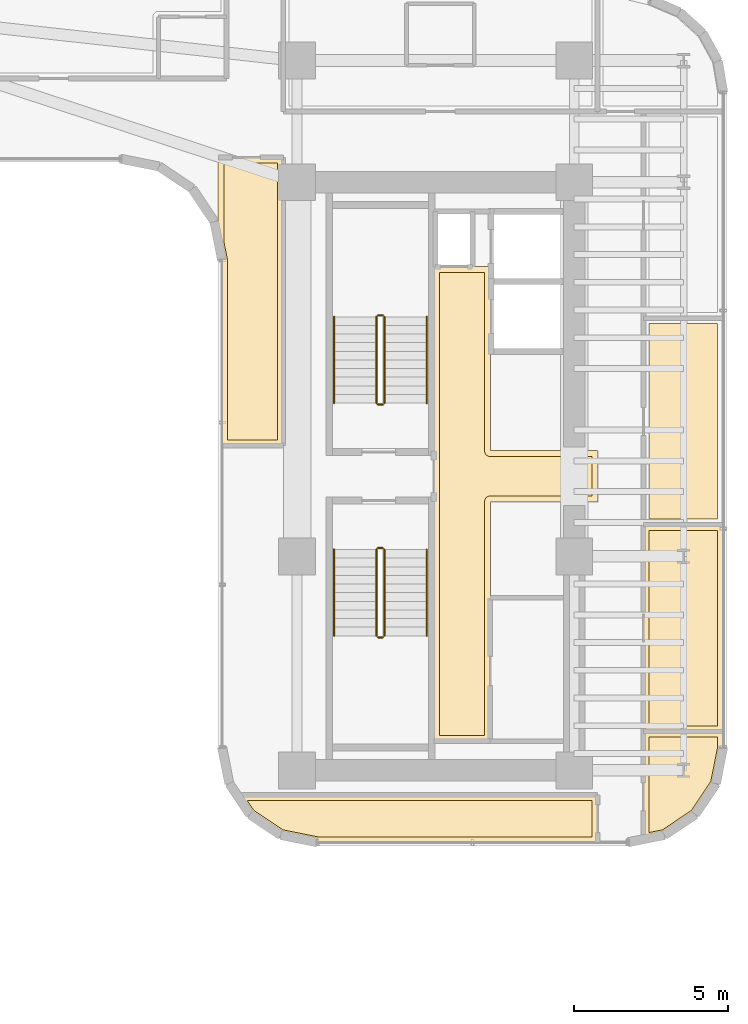
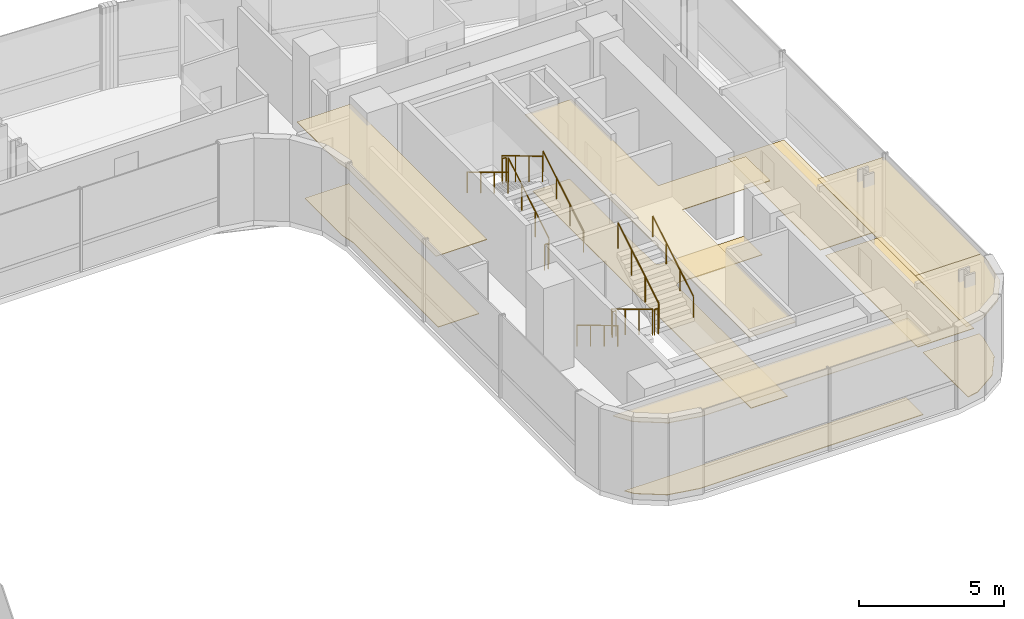
# One storey, part 33 of 35: 12 railings, 11 coverings.
"""IFC4 building model written with IfcOpenShell, lengths in metres."""

from ifc_helpers import new_model, si_unit, direction, frame, origin, origin_2d, place, context, subcontext, project, spatial, polyline, circle, outline, extrude, material, layer, layer_set, type_object, element, save


model = new_model("IFC4")

# Units and contexts
model_context = context("Model", 3, precision=1e-05, world=origin(), true_north=direction((0.0, 1.0)))
body_context = subcontext(model_context, "Body", "Model", "MODEL_VIEW")
ifc_project = project(units=[si_unit("LENGTHUNIT", "METRE"), si_unit("AREAUNIT", "SQUARE_METRE"), si_unit("VOLUMEUNIT", "CUBIC_METRE"), si_unit("PLANEANGLEUNIT", "RADIAN"), si_unit("MASSUNIT", "GRAM", prefix="KILO")], contexts=[model_context])

# Site, building, storey
site_placement = place(None, origin())
site = spatial("IfcSite", under=ifc_project, at=site_placement, CompositionType="ELEMENT")
building_placement = place(site_placement, origin())
building = spatial("IfcBuilding", under=site, at=building_placement, Name="Valdorenza Pilgrim Sanctuary Tower", CompositionType="ELEMENT")
storey_placement = place(building_placement, frame((0.0, 0.0, 113.10009765625)))
storey = spatial("IfcBuildingStorey", under=building, at=storey_placement, Name="L28", CompositionType="ELEMENT", Elevation=113.10009765625)

# Coverings
ifc_material_1 = material(Name="Micro-perforated acoustic mineral ceiling tile", Category="gypsum")
ifc_layer_1 = layer(ifc_material_1, 0.02490234375, Name="Micro-perforated acoustic mineral ceiling tile")
ifc_layer_set_1 = layer_set([ifc_layer_1], Name="Micro-perforated acoustic mineral ceiling tile")
covering_type_1 = type_object("IfcCoveringType", Name="COV-CLG-ACU", PredefinedType="CEILING", material=ifc_layer_set_1)
covering_1_placement = place(storey_placement, frame((0.0, 0.0, 3.159912109375)))
element("IfcCovering", 1, at=covering_1_placement, inside=storey, type_object=covering_type_1, Name="L28 Core B Passenger Lift Lobby Acoustic Ceiling", PredefinedType="CEILING", context=body_context, shape_type="SweptSolid", body=[
    extrude(outline(polyline([(20.287109375, -0.814697265625), (20.287109375, 0.814697265625), (20.28662109375, 0.815185546875), (20.2861328125, 0.81640625), (20.28564453125, 0.81787109375), (20.285400390625, 0.819091796875), (20.28515625, 0.820556640625), (20.284912109375, 0.822021484375), (20.284912109375, 6.800048828125), (20.28515625, 6.801513671875), (20.285400390625, 6.802978515625), (20.28564453125, 6.804443359375), (20.2861328125, 6.8056640625), (20.286865234375, 6.80712890625), (20.28759765625, 6.808349609375), (20.288330078125, 6.8095703125), (20.289306640625, 6.810546875), (20.29052734375, 6.8115234375), (20.291748046875, 6.8125), (20.29296875, 6.813232421875), (20.294189453125, 6.81396484375), (20.295654296875, 6.814453125), (20.297119140625, 6.814697265625), (20.298583984375, 6.81494140625), (20.300048828125, 6.81494140625), (20.347900390625, 6.81494140625), (20.349365234375, 6.81494140625), (20.350830078125, 6.814697265625), (20.352294921875, 6.814453125), (20.353515625, 6.81396484375), (20.35498046875, 6.813232421875), (20.35546875, 6.81298828125), (21.544677734375, 6.81298828125), (21.545166015625, 6.813232421875), (21.54638671875, 6.81396484375), (21.5478515625, 6.814453125), (21.54931640625, 6.814697265625), (21.550537109375, 6.81494140625), (21.552001953125, 6.81494140625), (22.1201171875, 6.81494140625), (22.12158203125, 6.81494140625), (22.122802734375, 6.814697265625), (22.12451171875, 6.814453125), (22.125732421875, 6.81396484375), (22.127197265625, 6.813232421875), (22.12841796875, 6.8125), (22.12939453125, 6.8115234375), (22.130615234375, 6.810546875), (22.131591796875, 6.8095703125), (22.132568359375, 6.808349609375), (22.13330078125, 6.80712890625), (22.1337890625, 6.8056640625), (22.134521484375, 6.804443359375), (22.134765625, 6.802978515625), (22.135009765625, 6.801513671875), (22.135009765625, 6.800048828125), (22.135009765625, 0.8349609375), (25.60009765625, 0.8349609375), (25.6015625, 0.8349609375), (25.602783203125, 0.834716796875), (25.6044921875, 0.83447265625), (25.605712890625, 0.833984375), (25.607177734375, 0.833251953125), (25.6083984375, 0.83251953125), (25.609619140625, 0.83154296875), (25.610595703125, 0.83056640625), (25.611572265625, 0.82958984375), (25.612548828125, 0.828369140625), (25.61328125, 0.8271484375), (25.614013671875, 0.82568359375), (25.614501953125, 0.824462890625), (25.61474609375, 0.822998046875), (25.614990234375, 0.821533203125), (25.614990234375, 0.820068359375), (25.614990234375, -0.820068359375), (25.614990234375, -0.821533203125), (25.61474609375, -0.822998046875), (25.614501953125, -0.824462890625), (25.614013671875, -0.82568359375), (25.61328125, -0.8271484375), (25.612548828125, -0.828369140625), (25.611572265625, -0.82958984375), (25.610595703125, -0.83056640625), (25.609619140625, -0.83154296875), (25.6083984375, -0.83251953125), (25.607177734375, -0.833251953125), (25.605712890625, -0.833984375), (25.6044921875, -0.83447265625), (25.602783203125, -0.834716796875), (25.6015625, -0.8349609375), (25.60009765625, -0.8349609375), (22.135009765625, -0.8349609375), (22.135009765625, -8.60009765625), (22.135009765625, -8.6015625), (22.134765625, -8.602783203125), (22.134521484375, -8.6044921875), (22.1337890625, -8.605712890625), (22.13330078125, -8.607177734375), (22.132568359375, -8.6083984375), (22.131591796875, -8.609619140625), (22.130615234375, -8.610595703125), (22.12939453125, -8.611572265625), (22.12841796875, -8.612548828125), (22.127197265625, -8.61328125), (22.125732421875, -8.614013671875), (22.12451171875, -8.614501953125), (22.122802734375, -8.61474609375), (22.12158203125, -8.614990234375), (22.1201171875, -8.614990234375), (20.300048828125, -8.614990234375), (20.298583984375, -8.614990234375), (20.297119140625, -8.61474609375), (20.295654296875, -8.614501953125), (20.294189453125, -8.614013671875), (20.29296875, -8.61328125), (20.291748046875, -8.612548828125), (20.29052734375, -8.611572265625), (20.289306640625, -8.610595703125), (20.288330078125, -8.609619140625), (20.28759765625, -8.6083984375), (20.286865234375, -8.607177734375), (20.2861328125, -8.605712890625), (20.28564453125, -8.6044921875), (20.285400390625, -8.602783203125), (20.28515625, -8.6015625), (20.284912109375, -8.60009765625), (20.284912109375, -0.822021484375), (20.28515625, -0.820556640625), (20.285400390625, -0.819091796875), (20.28564453125, -0.81787109375), (20.2861328125, -0.81640625), (20.28662109375, -0.815185546875), (20.287109375, -0.814697265625)])), origin(), (0.0, 0.0, 1.0), 0.02490234375),
])
covering_2_placement = place(storey_placement, frame((0.0, 0.0, 3.159912109375)))
element("IfcCovering", 2, at=covering_2_placement, inside=storey, type_object=covering_type_1, Name="L28 Sacred Manuscript Archive L28-BS Acoustic Ceiling", PredefinedType="CEILING", context=body_context, shape_type="SweptSolid", body=[
    extrude(outline(polyline([(25.614990234375, -11.889892578125), (25.614990234375, -11.8916015625), (25.61474609375, -11.892822265625), (25.614501953125, -11.894287109375), (25.614013671875, -11.895751953125), (25.61328125, -11.897216796875), (25.612548828125, -11.898193359375), (25.611572265625, -11.8994140625), (25.610595703125, -11.900634765625), (25.609619140625, -11.901611328125), (25.6083984375, -11.902587890625), (25.607177734375, -11.9033203125), (25.605712890625, -11.90380859375), (25.6044921875, -11.904296875), (25.602783203125, -11.90478515625), (25.6015625, -11.90478515625), (25.60009765625, -11.905029296875), (16.5107421875, -11.905029296875), (16.509521484375, -11.90478515625), (16.5078125, -11.90478515625), (15.3154296875, -11.66748046875), (15.31396484375, -11.6669921875), (15.3125, -11.66650390625), (15.311279296875, -11.666015625), (15.31005859375, -11.665283203125), (14.308349609375, -10.995849609375), (14.30712890625, -10.9951171875), (14.305908203125, -10.993896484375), (14.304931640625, -10.992919921875), (14.30419921875, -10.99169921875), (13.880859375, -10.3583984375), (13.880126953125, -10.357177734375), (13.87939453125, -10.355712890625), (13.87890625, -10.3544921875), (13.878662109375, -10.352783203125), (13.87841796875, -10.3515625), (13.87841796875, -10.35009765625), (13.87841796875, -10.348388671875), (13.878662109375, -10.34716796875), (13.87890625, -10.345703125), (13.87939453125, -10.34423828125), (13.880126953125, -10.343017578125), (13.880859375, -10.341796875), (13.881591796875, -10.340576171875), (13.8828125, -10.33935546875), (13.8837890625, -10.33837890625), (13.885009765625, -10.33740234375), (13.88623046875, -10.3369140625), (13.8876953125, -10.336181640625), (13.888916015625, -10.335693359375), (13.890380859375, -10.335205078125), (13.891845703125, -10.335205078125), (13.893310546875, -10.3349609375), (25.60009765625, -10.3349609375), (25.6015625, -10.335205078125), (25.602783203125, -10.335205078125), (25.6044921875, -10.335693359375), (25.605712890625, -10.336181640625), (25.607177734375, -10.3369140625), (25.6083984375, -10.33740234375), (25.609619140625, -10.33837890625), (25.610595703125, -10.33935546875), (25.611572265625, -10.340576171875), (25.612548828125, -10.341796875), (25.61328125, -10.343017578125), (25.614013671875, -10.34423828125), (25.614501953125, -10.345703125), (25.61474609375, -10.34716796875), (25.614990234375, -10.348388671875), (25.614990234375, -10.35009765625), (25.614990234375, -11.889892578125)])), origin(), (0.0, 0.0, 1.0), 0.02490234375),
])
covering_3_placement = place(storey_placement, frame((0.0, 0.0, 3.159912109375)))
element("IfcCovering", 3, at=covering_3_placement, inside=storey, type_object=covering_type_1, Name="L28 East Sanctuary Scholar Office L28-EG1 Acoustic Ceiling", PredefinedType="CEILING", context=body_context, shape_type="SweptSolid", body=[
    extrude(outline(polyline([(29.467529296875, -9.984619140625), (29.467041015625, -9.986083984375), (29.466552734375, -9.9873046875), (29.466064453125, -9.98876953125), (29.46533203125, -9.989990234375), (28.7958984375, -10.99169921875), (28.794921875, -10.992919921875), (28.7939453125, -10.993896484375), (28.79296875, -10.9951171875), (28.791748046875, -10.995849609375), (27.7900390625, -11.665283203125), (27.788818359375, -11.666015625), (27.787353515625, -11.66650390625), (27.785888671875, -11.6669921875), (27.78466796875, -11.66748046875), (27.102783203125, -11.802978515625), (27.1015625, -11.80322265625), (27.10009765625, -11.803466796875), (27.098388671875, -11.80322265625), (27.09716796875, -11.802978515625), (27.095703125, -11.802734375), (27.09423828125, -11.80224609375), (27.093017578125, -11.801513671875), (27.091796875, -11.80078125), (27.090576171875, -11.800048828125), (27.08935546875, -11.799072265625), (27.08837890625, -11.7978515625), (27.08740234375, -11.796630859375), (27.0869140625, -11.79541015625), (27.086181640625, -11.794189453125), (27.085693359375, -11.792724609375), (27.085205078125, -11.791259765625), (27.085205078125, -11.789794921875), (27.0849609375, -11.788330078125), (27.0849609375, -8.287109375), (27.085205078125, -8.285400390625), (27.085205078125, -8.2841796875), (27.085693359375, -8.28271484375), (27.086181640625, -8.28125), (27.0869140625, -8.27978515625), (27.08740234375, -8.27880859375), (27.08837890625, -8.277587890625), (27.08935546875, -8.2763671875), (27.090576171875, -8.275390625), (27.091796875, -8.2744140625), (27.093017578125, -8.273681640625), (27.09423828125, -8.273193359375), (27.095703125, -8.272705078125), (27.09716796875, -8.272216796875), (27.098388671875, -8.272216796875), (27.10009765625, -8.27197265625), (29.68994140625, -8.27197265625), (29.69140625, -8.272216796875), (29.69287109375, -8.272216796875), (29.6943359375, -8.272705078125), (29.69580078125, -8.273193359375), (29.697021484375, -8.273681640625), (29.6982421875, -8.2744140625), (29.699462890625, -8.275390625), (29.70068359375, -8.2763671875), (29.70166015625, -8.277587890625), (29.702392578125, -8.27880859375), (29.703125, -8.27978515625), (29.703857421875, -8.28125), (29.704345703125, -8.28271484375), (29.70458984375, -8.2841796875), (29.704833984375, -8.285400390625), (29.705078125, -8.287109375), (29.705078125, -8.789306640625), (29.704833984375, -8.79052734375), (29.70458984375, -8.7919921875), (29.467529296875, -9.984619140625)])), origin(), (0.0, 0.0, 1.0), 0.02490234375),
])
covering_4_placement = place(storey_placement, frame((0.0, 0.0, 3.159912109375)))
element("IfcCovering", 4, at=covering_4_placement, inside=storey, type_object=covering_type_1, Name="L28 East Sanctuary Scholar Office L28-EG2 Acoustic Ceiling", PredefinedType="CEILING", context=body_context, shape_type="SweptSolid", body=[
    extrude(outline(polyline([(27.0849609375, -1.574951171875), (27.085205078125, -1.573486328125), (27.085205078125, -1.572021484375), (27.085693359375, -1.570556640625), (27.086181640625, -1.5693359375), (27.0869140625, -1.56787109375), (27.08740234375, -1.566650390625), (27.08837890625, -1.5654296875), (27.08935546875, -1.564453125), (27.090576171875, -1.5634765625), (27.091796875, -1.5625), (27.093017578125, -1.561767578125), (27.09423828125, -1.56103515625), (27.095703125, -1.560546875), (27.09716796875, -1.560302734375), (27.098388671875, -1.56005859375), (27.10009765625, -1.56005859375), (29.68994140625, -1.56005859375), (29.69140625, -1.56005859375), (29.69287109375, -1.560302734375), (29.6943359375, -1.560546875), (29.69580078125, -1.56103515625), (29.697021484375, -1.561767578125), (29.6982421875, -1.5625), (29.699462890625, -1.5634765625), (29.70068359375, -1.564453125), (29.70166015625, -1.5654296875), (29.702392578125, -1.566650390625), (29.703125, -1.56787109375), (29.703857421875, -1.5693359375), (29.704345703125, -1.570556640625), (29.70458984375, -1.572021484375), (29.704833984375, -1.573486328125), (29.705078125, -1.574951171875), (29.705078125, -8.284912109375), (29.704833984375, -8.28662109375), (29.70458984375, -8.287841796875), (29.704345703125, -8.289306640625), (29.703857421875, -8.290771484375), (29.703125, -8.2919921875), (29.702392578125, -8.293212890625), (29.70166015625, -8.29443359375), (29.70068359375, -8.295654296875), (29.699462890625, -8.296630859375), (29.6982421875, -8.297607421875), (29.697021484375, -8.298095703125), (29.69580078125, -8.298828125), (29.6943359375, -8.29931640625), (29.69287109375, -8.2998046875), (29.69140625, -8.2998046875), (29.68994140625, -8.300048828125), (27.10009765625, -8.300048828125), (27.098388671875, -8.2998046875), (27.09716796875, -8.2998046875), (27.095703125, -8.29931640625), (27.09423828125, -8.298828125), (27.093017578125, -8.298095703125), (27.091796875, -8.297607421875), (27.090576171875, -8.296630859375), (27.08935546875, -8.295654296875), (27.08837890625, -8.29443359375), (27.08740234375, -8.293212890625), (27.0869140625, -8.2919921875), (27.086181640625, -8.290771484375), (27.085693359375, -8.289306640625), (27.085205078125, -8.287841796875), (27.085205078125, -8.28662109375), (27.0849609375, -8.284912109375), (27.0849609375, -1.574951171875)])), origin(), (0.0, 0.0, 1.0), 0.02490234375),
])
covering_5_placement = place(storey_placement, frame((0.0, 0.0, 3.159912109375)))
element("IfcCovering", 5, at=covering_5_placement, inside=storey, type_object=covering_type_1, Name="L28 Courtyard Overlook Salon L28 Acoustic Ceiling", PredefinedType="CEILING", context=body_context, shape_type="SweptSolid", body=[
    extrude(outline(polyline([(15.39990234375, 10.364990234375), (15.401611328125, 10.364990234375), (15.40283203125, 10.36474609375), (15.404296875, 10.364501953125), (15.40576171875, 10.364013671875), (15.406982421875, 10.36328125), (15.408203125, 10.362548828125), (15.409423828125, 10.361572265625), (15.41064453125, 10.360595703125), (15.41162109375, 10.359619140625), (15.41259765625, 10.3583984375), (15.4130859375, 10.357177734375), (15.413818359375, 10.355712890625), (15.414306640625, 10.3544921875), (15.414794921875, 10.352783203125), (15.414794921875, 10.3515625), (15.4150390625, 10.35009765625), (15.4150390625, 1.0), (15.414794921875, 0.99853515625), (15.414794921875, 0.9970703125), (15.414306640625, 0.99560546875), (15.413818359375, 0.994384765625), (15.4130859375, 0.992919921875), (15.41259765625, 0.99169921875), (15.41162109375, 0.990478515625), (15.41064453125, 0.989501953125), (15.409423828125, 0.98828125), (15.408203125, 0.987548828125), (15.406982421875, 0.98681640625), (15.40576171875, 0.986083984375), (15.404296875, 0.985595703125), (15.40283203125, 0.9853515625), (15.401611328125, 0.985107421875), (15.39990234375, 0.985107421875), (13.409912109375, 0.985107421875), (13.408447265625, 0.985107421875), (13.406982421875, 0.9853515625), (13.405517578125, 0.985595703125), (13.404296875, 0.986083984375), (13.40283203125, 0.98681640625), (13.401611328125, 0.987548828125), (13.400390625, 0.98828125), (13.3994140625, 0.989501953125), (13.3984375, 0.990478515625), (13.3974609375, 0.99169921875), (13.396728515625, 0.992919921875), (13.39599609375, 0.994384765625), (13.3955078125, 0.99560546875), (13.395263671875, 0.9970703125), (13.39501953125, 0.99853515625), (13.39501953125, 1.0), (13.39501953125, 6.99951171875), (13.39453125, 7.00927734375), (13.39306640625, 7.018798828125), (13.285400390625, 7.560791015625), (13.28515625, 7.562255859375), (13.284912109375, 7.563720703125), (13.284912109375, 10.35009765625), (13.28515625, 10.3515625), (13.285400390625, 10.352783203125), (13.28564453125, 10.3544921875), (13.2861328125, 10.355712890625), (13.286865234375, 10.357177734375), (13.28759765625, 10.3583984375), (13.288330078125, 10.359619140625), (13.289306640625, 10.360595703125), (13.29052734375, 10.361572265625), (13.291748046875, 10.362548828125), (13.29296875, 10.36328125), (13.294189453125, 10.364013671875), (13.295654296875, 10.364501953125), (13.297119140625, 10.36474609375), (13.298583984375, 10.364990234375), (13.300048828125, 10.364990234375), (15.39990234375, 10.364990234375)])), origin(), (0.0, 0.0, 1.0), 0.02490234375),
])
ifc_material_2 = material(Name="Honed travertine stone flooring", Category="masonry")
ifc_layer_2 = layer(ifc_material_2, 0.030029296875, Name="Honed travertine stone flooring")
ifc_layer_set_2 = layer_set([ifc_layer_2], Name="Honed travertine stone flooring")
covering_type_2 = type_object("IfcCoveringType", Name="COV-FLR-TRV", PredefinedType="FLOORING", material=ifc_layer_set_2)
covering_6_placement = place(storey_placement, origin())
element("IfcCovering", 6, at=covering_6_placement, inside=storey, type_object=covering_type_2, Name="L28 Core B Passenger Lift Lobby Flooring", PredefinedType="FLOORING", context=body_context, shape_type="SweptSolid", body=[
    extrude(outline(polyline([(20.47998046875, 6.617919921875), (21.550048828125, 6.617919921875), (21.550537109375, 6.617919921875), (21.93994140625, 6.619384765625), (21.93994140625, 0.820068359375), (21.94091796875, 0.802490234375), (21.943603515625, 0.784912109375), (21.94775390625, 0.767578125), (21.95361328125, 0.751220703125), (21.961181640625, 0.735107421875), (21.97021484375, 0.719970703125), (21.98095703125, 0.705810546875), (21.99267578125, 0.692626953125), (22.005859375, 0.680908203125), (22.02001953125, 0.67041015625), (22.03515625, 0.661376953125), (22.051025390625, 0.65380859375), (22.067626953125, 0.647705078125), (22.0849609375, 0.6435546875), (22.102294921875, 0.640869140625), (22.1201171875, 0.639892578125), (25.419921875, 0.639892578125), (25.419921875, -0.639892578125), (22.1201171875, -0.639892578125), (22.102294921875, -0.640869140625), (22.0849609375, -0.6435546875), (22.067626953125, -0.647705078125), (22.051025390625, -0.65380859375), (22.03515625, -0.661376953125), (22.02001953125, -0.67041015625), (22.005859375, -0.680908203125), (21.99267578125, -0.692626953125), (21.98095703125, -0.705810546875), (21.97021484375, -0.719970703125), (21.961181640625, -0.735107421875), (21.95361328125, -0.751220703125), (21.94775390625, -0.767578125), (21.943603515625, -0.784912109375), (21.94091796875, -0.802490234375), (21.93994140625, -0.820068359375), (21.93994140625, -8.419921875), (20.47998046875, -8.419921875), (20.47998046875, -0.846923828125), (20.47998046875, -0.8466796875), (20.47998046875, -0.8466796875), (20.481689453125, -0.8291015625), (20.481689453125, -0.828857421875), (20.48193359375, -0.820068359375), (20.48193359375, 0.820068359375), (20.47998046875, 6.617919921875)])), origin(), (0.0, 0.0, 1.0), 0.02490234375),
])
covering_7_placement = place(storey_placement, origin())
element("IfcCovering", 7, at=covering_7_placement, inside=storey, type_object=covering_type_2, Name="L28 Sacred Manuscript Archive L28-BS Flooring", PredefinedType="FLOORING", context=body_context, shape_type="SweptSolid", body=[
    extrude(outline(polyline([(25.419921875, -11.7099609375), (16.528564453125, -11.7099609375), (15.388671875, -11.483154296875), (14.4462890625, -10.853515625), (14.22998046875, -10.530029296875), (25.419921875, -10.530029296875), (25.419921875, -11.7099609375)])), origin(), (0.0, 0.0, 1.0), 0.02490234375),
])
covering_8_placement = place(storey_placement, origin())
element("IfcCovering", 8, at=covering_8_placement, inside=storey, type_object=covering_type_2, Name="L28 East Sanctuary Scholar Office L28-EG1 Flooring", PredefinedType="FLOORING", context=body_context, shape_type="SweptSolid", body=[
    extrude(outline(polyline([(29.283203125, -9.911376953125), (28.653564453125, -10.853515625), (27.71142578125, -11.483154296875), (27.280029296875, -11.569091796875), (27.280029296875, -8.467041015625), (29.510009765625, -8.467041015625), (29.510009765625, -8.771484375), (29.283203125, -9.911376953125)])), origin(), (0.0, 0.0, 1.0), 0.02490234375),
])
covering_9_placement = place(storey_placement, origin())
element("IfcCovering", 9, at=covering_9_placement, inside=storey, type_object=covering_type_2, Name="L28 East Sanctuary Scholar Office L28-EG2 Flooring", PredefinedType="FLOORING", context=body_context, shape_type="SweptSolid", body=[
    extrude(outline(polyline([(27.280029296875, -1.7548828125), (29.510009765625, -1.7548828125), (29.510009765625, -8.10498046875), (27.280029296875, -8.10498046875), (27.280029296875, -1.7548828125)])), origin(), (0.0, 0.0, 1.0), 0.02490234375),
])
covering_10_placement = place(storey_placement, origin())
element("IfcCovering", 10, at=covering_10_placement, inside=storey, type_object=covering_type_2, Name="L28 East Sanctuary Scholar Office L28-EG3 Flooring", PredefinedType="FLOORING", context=body_context, shape_type="SweptSolid", body=[
    extrude(outline(polyline([(27.280029296875, 4.9580078125), (29.510009765625, 4.9580078125), (29.510009765625, -1.39306640625), (27.280029296875, -1.39306640625), (27.280029296875, 4.9580078125)])), origin(), (0.0, 0.0, 1.0), 0.02490234375),
])
covering_11_placement = place(storey_placement, origin())
element("IfcCovering", 11, at=covering_11_placement, inside=storey, type_object=covering_type_2, Name="L28 Courtyard Overlook Salon L28 Flooring", PredefinedType="FLOORING", context=body_context, shape_type="SweptSolid", body=[
    extrude(outline(polyline([(15.219970703125, 10.169921875), (15.219970703125, 1.179931640625), (13.590087890625, 1.179931640625), (13.590087890625, 7.0), (13.58984375, 7.0087890625), (13.58935546875, 7.01953125), (13.58740234375, 7.037109375), (13.5859375, 7.0478515625), (13.58447265625, 7.056640625), (13.47998046875, 7.58154296875), (13.47998046875, 10.169921875), (15.219970703125, 10.169921875)])), origin(), (0.0, 0.0, 1.0), 0.02490234375),
])

# Railings
ifc_material_3 = material(Name="Stainless steel Grade 316", Category="steel")
railing_type_1 = type_object("IfcRailingType", Name="RLG-GRD-1120", PredefinedType="GUARDRAIL", material=ifc_material_3)
railing_1_placement = place(storey_placement, frame((18.679931640625, 2.3798828125, 0.16796875)))
element("IfcRailing", 12, at=railing_1_placement, inside=storey, type_object=railing_type_1, Name="L28 ST-B1 stair guard 1", PredefinedType="GUARDRAIL", context=body_context, shape_type="SweptSolid", body=[
    extrude(circle(Radius=0.02392578125, at=origin_2d()), frame((0.0, 0.0, 1.076171875), z_axis=(0.0, 0.857242210791, 0.514913383045), x_axis=(-1.0, 0.0, 0.0)), (0.0, 0.0, 1.0), 3.266357421875),
    extrude(circle(Radius=0.02099609375, at=origin_2d()), origin(), (0.0, 0.0, 1.0), 1.052001953125),
    extrude(circle(Radius=0.02099609375, at=origin_2d()), frame((0.0, 0.933349609375, 0.560546875)), (0.0, 0.0, 1.0), 1.052001953125),
    extrude(circle(Radius=0.02099609375, at=origin_2d()), frame((0.0, 1.86669921875, 1.121337890625)), (0.0, 0.0, 1.0), 1.052001953125),
    extrude(circle(Radius=0.02099609375, at=origin_2d()), frame((0.0, 2.800048828125, 1.681884765625)), (0.0, 0.0, 1.0), 1.052001953125),
])
railing_2_placement = place(storey_placement, frame((18.6298828125, 5.22998046875, 1.849853515625)))
element("IfcRailing", 13, at=railing_2_placement, inside=storey, type_object=railing_type_1, Name="L28 ST-B1 stair guard 2", PredefinedType="GUARDRAIL", context=body_context, shape_type="SweptSolid", body=[
    extrude(circle(Radius=0.02392578125, at=origin_2d()), frame((0.0, 0.0, 1.076171875), z_axis=(-1.0, 0.0, 0.0), x_axis=(0.0, -1.0, 0.0)), (0.0, 0.0, 1.0), 0.14990234375),
    extrude(circle(Radius=0.02099609375, at=origin_2d()), origin(), (0.0, 0.0, 1.0), 1.052001953125),
    extrude(circle(Radius=0.02099609375, at=origin_2d()), frame((-0.14990234375, 0.0, 0.0)), (0.0, 0.0, 1.0), 1.052001953125),
])
railing_3_placement = place(storey_placement, frame((18.429931640625, 5.179931640625, 2.01806640625)))
element("IfcRailing", 14, at=railing_3_placement, inside=storey, type_object=railing_type_1, Name="L28 ST-B1 stair guard 3", PredefinedType="GUARDRAIL", context=body_context, shape_type="SweptSolid", body=[
    extrude(circle(Radius=0.02392578125, at=origin_2d()), frame((0.0, 0.0, 1.076171875), z_axis=(0.0, -0.857242210791, 0.514913383045), x_axis=(1.0, 0.0, 0.0)), (0.0, 0.0, 1.0), 3.266357421875),
    extrude(circle(Radius=0.02099609375, at=origin_2d()), origin(), (0.0, 0.0, 1.0), 1.052001953125),
    extrude(circle(Radius=0.02099609375, at=origin_2d()), frame((0.0, -0.933349609375, 0.560546875)), (0.0, 0.0, 1.0), 1.052001953125),
    extrude(circle(Radius=0.02099609375, at=origin_2d()), frame((0.0, -1.86669921875, 1.121337890625)), (0.0, 0.0, 1.0), 1.052001953125),
    extrude(circle(Radius=0.02099609375, at=origin_2d()), frame((0.0, -2.800048828125, 1.681884765625)), (0.0, 0.0, 1.0), 1.052001953125),
])
railing_4_placement = place(storey_placement, frame((18.6298828125, 2.330078125, 0.0)))
element("IfcRailing", 15, at=railing_4_placement, inside=storey, type_object=railing_type_1, Name="L28 ST-B1 stair guard 4", PredefinedType="GUARDRAIL", context=body_context, shape_type="SweptSolid", body=[
    extrude(circle(Radius=0.02392578125, at=origin_2d()), frame((0.0, 0.0, 1.076171875), z_axis=(-1.0, 0.0, 0.0), x_axis=(0.0, -1.0, 0.0)), (0.0, 0.0, 1.0), 0.14990234375),
    extrude(circle(Radius=0.02099609375, at=origin_2d()), origin(), (0.0, 0.0, 1.0), 1.052001953125),
    extrude(circle(Radius=0.02099609375, at=origin_2d()), frame((-0.14990234375, 0.0, 0.0)), (0.0, 0.0, 1.0), 1.052001953125),
])
railing_5_placement = place(storey_placement, frame((18.429931640625, -2.3798828125, 0.16796875)))
element("IfcRailing", 16, at=railing_5_placement, inside=storey, type_object=railing_type_1, Name="L28 ST-B2 stair guard 1", PredefinedType="GUARDRAIL", context=body_context, shape_type="SweptSolid", body=[
    extrude(circle(Radius=0.02392578125, at=origin_2d()), frame((0.0, 0.0, 1.076171875), z_axis=(0.0, -0.857242210791, 0.514913383045), x_axis=(1.0, 0.0, 0.0)), (0.0, 0.0, 1.0), 3.266357421875),
    extrude(circle(Radius=0.02099609375, at=origin_2d()), origin(), (0.0, 0.0, 1.0), 1.052001953125),
    extrude(circle(Radius=0.02099609375, at=origin_2d()), frame((0.0, -0.933349609375, 0.560546875)), (0.0, 0.0, 1.0), 1.052001953125),
    extrude(circle(Radius=0.02099609375, at=origin_2d()), frame((0.0, -1.86669921875, 1.121337890625)), (0.0, 0.0, 1.0), 1.052001953125),
    extrude(circle(Radius=0.02099609375, at=origin_2d()), frame((0.0, -2.800048828125, 1.681884765625)), (0.0, 0.0, 1.0), 1.052001953125),
])
railing_6_placement = place(storey_placement, frame((18.47998046875, -5.22998046875, 1.849853515625)))
element("IfcRailing", 17, at=railing_6_placement, inside=storey, type_object=railing_type_1, Name="L28 ST-B2 stair guard 2", PredefinedType="GUARDRAIL", context=body_context, shape_type="SweptSolid", body=[
    extrude(circle(Radius=0.02392578125, at=origin_2d()), frame((0.0, 0.0, 1.076171875), z_axis=(1.0, 0.0, 0.0), x_axis=(0.0, 1.0, 0.0)), (0.0, 0.0, 1.0), 0.14990234375),
    extrude(circle(Radius=0.02099609375, at=origin_2d()), origin(), (0.0, 0.0, 1.0), 1.052001953125),
    extrude(circle(Radius=0.02099609375, at=origin_2d()), frame((0.14990234375, 0.0, 0.0)), (0.0, 0.0, 1.0), 1.052001953125),
])
railing_7_placement = place(storey_placement, frame((18.679931640625, -5.179931640625, 2.01806640625)))
element("IfcRailing", 18, at=railing_7_placement, inside=storey, type_object=railing_type_1, Name="L28 ST-B2 stair guard 3", PredefinedType="GUARDRAIL", context=body_context, shape_type="SweptSolid", body=[
    extrude(circle(Radius=0.02392578125, at=origin_2d()), frame((0.0, 0.0, 1.076171875), z_axis=(0.0, 0.857242210791, 0.514913383045), x_axis=(-1.0, 0.0, 0.0)), (0.0, 0.0, 1.0), 3.266357421875),
    extrude(circle(Radius=0.02099609375, at=origin_2d()), origin(), (0.0, 0.0, 1.0), 1.052001953125),
    extrude(circle(Radius=0.02099609375, at=origin_2d()), frame((0.0, 0.933349609375, 0.560546875)), (0.0, 0.0, 1.0), 1.052001953125),
    extrude(circle(Radius=0.02099609375, at=origin_2d()), frame((0.0, 1.86669921875, 1.121337890625)), (0.0, 0.0, 1.0), 1.052001953125),
    extrude(circle(Radius=0.02099609375, at=origin_2d()), frame((0.0, 2.800048828125, 1.681884765625)), (0.0, 0.0, 1.0), 1.052001953125),
])
railing_8_placement = place(storey_placement, frame((18.47998046875, -2.330078125, 0.0)))
element("IfcRailing", 19, at=railing_8_placement, inside=storey, type_object=railing_type_1, Name="L28 ST-B2 stair guard 4", PredefinedType="GUARDRAIL", context=body_context, shape_type="SweptSolid", body=[
    extrude(circle(Radius=0.02392578125, at=origin_2d()), frame((0.0, 0.0, 1.076171875), z_axis=(1.0, 0.0, 0.0), x_axis=(0.0, 1.0, 0.0)), (0.0, 0.0, 1.0), 0.14990234375),
    extrude(circle(Radius=0.02099609375, at=origin_2d()), origin(), (0.0, 0.0, 1.0), 1.052001953125),
    extrude(circle(Radius=0.02099609375, at=origin_2d()), frame((0.14990234375, 0.0, 0.0)), (0.0, 0.0, 1.0), 1.052001953125),
])
ifc_material_4 = material(Name="Brushed stainless steel Grade 316", Category="steel")
railing_type_2 = type_object("IfcRailingType", Name="RLG-HND-920", PredefinedType="HANDRAIL", material=ifc_material_4)
railing_9_placement = place(storey_placement, frame((20.06005859375, 2.3798828125, 0.16796875)))
element("IfcRailing", 20, at=railing_9_placement, inside=storey, type_object=railing_type_2, Name="L28 ST-B1 stair handrail 1", PredefinedType="HANDRAIL", context=body_context, shape_type="SweptSolid", body=[
    extrude(circle(Radius=0.02392578125, at=origin_2d()), frame((0.0, 0.0, 0.8759765625), z_axis=(0.0, 0.857242210791, 0.514913383045), x_axis=(-1.0, 0.0, 0.0)), (0.0, 0.0, 1.0), 3.266357421875),
    extrude(circle(Radius=0.02099609375, at=origin_2d()), origin(), (0.0, 0.0, 1.0), 0.851806640625),
    extrude(circle(Radius=0.02099609375, at=origin_2d()), frame((0.0, 0.933349609375, 0.560546875)), (0.0, 0.0, 1.0), 0.851806640625),
    extrude(circle(Radius=0.02099609375, at=origin_2d()), frame((0.0, 1.86669921875, 1.121337890625)), (0.0, 0.0, 1.0), 0.851806640625),
    extrude(circle(Radius=0.02099609375, at=origin_2d()), frame((0.0, 2.800048828125, 1.681884765625)), (0.0, 0.0, 1.0), 0.851806640625),
])
for number, where, name in (
    (21, (17.050048828125, 5.179931640625, 2.01806640625), "L28 ST-B1 stair handrail 2"),
    (22, (17.050048828125, -2.3798828125, 0.16796875), "L28 ST-B2 stair handrail 1"),
):
    element("IfcRailing", number, at=place(storey_placement, frame(where)), inside=storey, type_object=railing_type_2, Name=name, PredefinedType="HANDRAIL", context=body_context, shape_type="SweptSolid", body=[
        extrude(circle(Radius=0.02392578125, at=origin_2d()), frame((0.0, 0.0, 0.8759765625), z_axis=(0.0, -0.857242210791, 0.514913383045), x_axis=(1.0, 0.0, 0.0)), (0.0, 0.0, 1.0), 3.266357421875),
        extrude(circle(Radius=0.02099609375, at=origin_2d()), origin(), (0.0, 0.0, 1.0), 0.851806640625),
        extrude(circle(Radius=0.02099609375, at=origin_2d()), frame((0.0, -0.933349609375, 0.560546875)), (0.0, 0.0, 1.0), 0.851806640625),
        extrude(circle(Radius=0.02099609375, at=origin_2d()), frame((0.0, -1.86669921875, 1.121337890625)), (0.0, 0.0, 1.0), 0.851806640625),
        extrude(circle(Radius=0.02099609375, at=origin_2d()), frame((0.0, -2.800048828125, 1.681884765625)), (0.0, 0.0, 1.0), 0.851806640625),
    ])
railing_10_placement = place(storey_placement, frame((20.06005859375, -5.179931640625, 2.01806640625)))
element("IfcRailing", 23, at=railing_10_placement, inside=storey, type_object=railing_type_2, Name="L28 ST-B2 stair handrail 2", PredefinedType="HANDRAIL", context=body_context, shape_type="SweptSolid", body=[
    extrude(circle(Radius=0.02392578125, at=origin_2d()), frame((0.0, 0.0, 0.8759765625), z_axis=(0.0, 0.857242210791, 0.514913383045), x_axis=(-1.0, 0.0, 0.0)), (0.0, 0.0, 1.0), 3.266357421875),
    extrude(circle(Radius=0.02099609375, at=origin_2d()), origin(), (0.0, 0.0, 1.0), 0.851806640625),
    extrude(circle(Radius=0.02099609375, at=origin_2d()), frame((0.0, 0.933349609375, 0.560546875)), (0.0, 0.0, 1.0), 0.851806640625),
    extrude(circle(Radius=0.02099609375, at=origin_2d()), frame((0.0, 1.86669921875, 1.121337890625)), (0.0, 0.0, 1.0), 0.851806640625),
    extrude(circle(Radius=0.02099609375, at=origin_2d()), frame((0.0, 2.800048828125, 1.681884765625)), (0.0, 0.0, 1.0), 0.851806640625),
])

save(model, "model.ifc")
